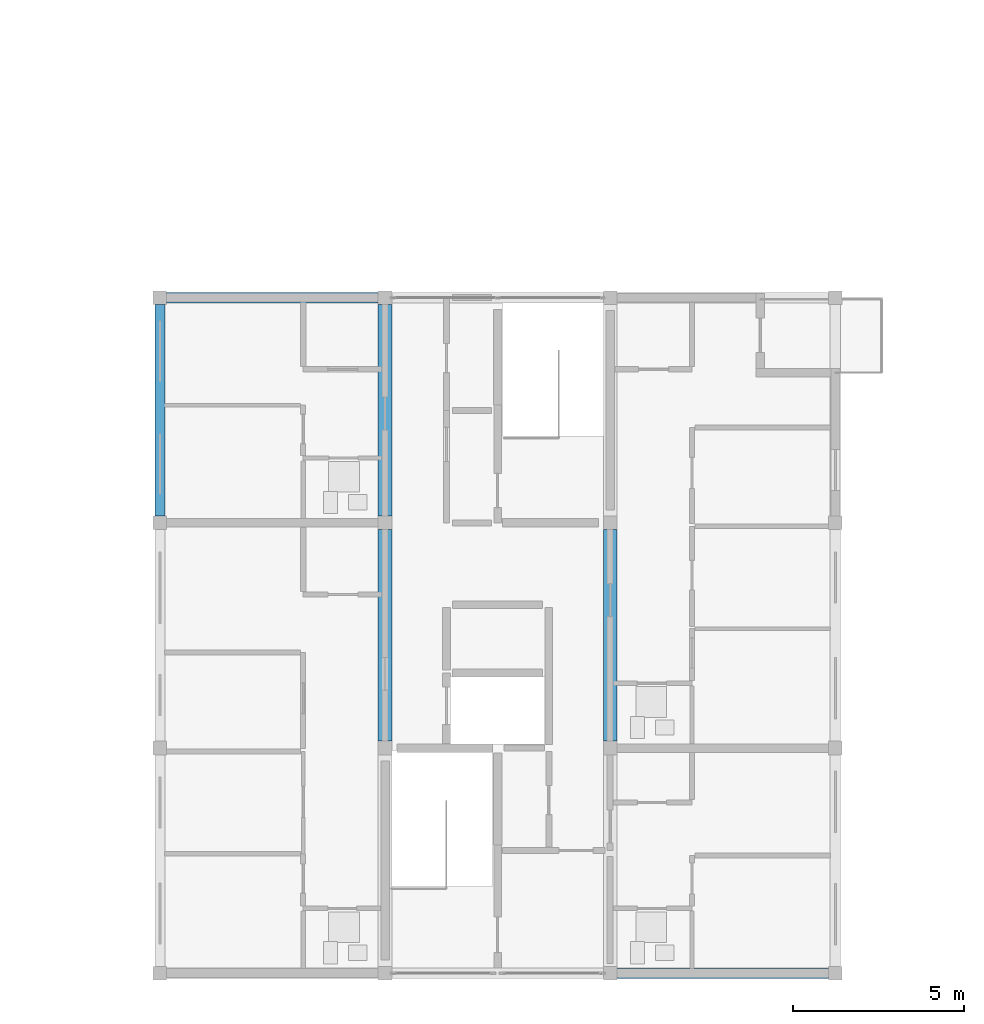
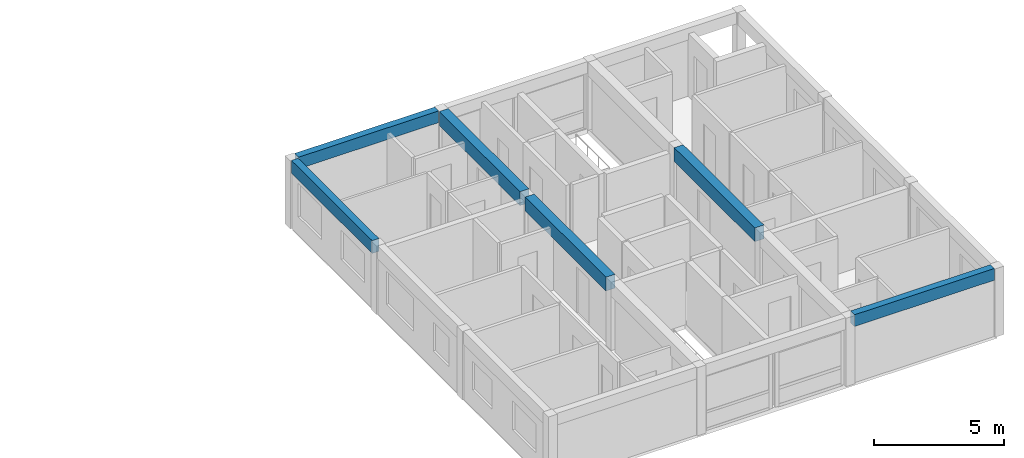
# One storey, part 6 of 34: 6 beams.
"""IFC4 building model written with IfcOpenShell, lengths in metres."""

import ifcopenshell
import ifcopenshell.guid

model = None  # the IFC model being written
_history = None  # IfcOwnerHistory: only IFC2X3 demands one
_inside = {}  # id of a spatial element -> (the spatial element, [elements in it])
_under = {}  # id of a project, library or spatial element -> (it, [spatial elements below it])
_declared = {}  # id of a project -> (the project, [libraries it declares])
_typed = {}  # id of a type object -> (the type object, [elements of that type])
_made_of = {}  # id of a material, layer set ... -> (it, [elements and type objects made of it])


def new_model(schema):
    """Start an empty IFC model of exactly this schema.

    Asked for "IFC4X3", IfcOpenShell would pick the latest addendum, in which some entities
    have other attributes; the version numbers below select the first issue.
    IFC2X3 requires an IfcOwnerHistory on every rooted entity: one is made here for all.
    """
    global model, _history
    if schema == "IFC4X3":
        model = ifcopenshell.file(schema_version=(4, 3, 0, 0))
    else:
        model = ifcopenshell.file(schema=schema)
    _inside.clear()
    _under.clear()
    _declared.clear()
    _typed.clear()
    _made_of.clear()
    _history = None
    if model.schema == "IFC2X3":
        org = make("IfcOrganization", Name="unknown")
        user = make(
            "IfcPersonAndOrganization",
            ThePerson=make("IfcPerson", FamilyName="unknown"),
            TheOrganization=org,
        )
        app = make(
            "IfcApplication",
            ApplicationDeveloper=org,
            Version="unknown",
            ApplicationFullName="unknown",
            ApplicationIdentifier="unknown",
        )
        _history = make(
            "IfcOwnerHistory",
            OwningUser=user,
            OwningApplication=app,
            ChangeAction="ADDED",
            CreationDate=0,
        )
    return model


def make(cls, **values):
    """One entity of the class cls with the attributes given. An attribute that is None is left unset."""
    return model.create_entity(
        cls, **{name: value for name, value in values.items() if value is not None}
    )


def rooted(cls, **values):
    """An entity with a GlobalId (a new one), such as an element, a storey or a relation."""
    return make(cls, GlobalId=ifcopenshell.guid.new(), OwnerHistory=_history, **values)


def si_unit(unit_type, name, prefix=None):
    """IfcSIUnit, for example si_unit("LENGTHUNIT", "METRE", prefix="MILLI")."""
    return make("IfcSIUnit", UnitType=unit_type, Prefix=prefix, Name=name)


def assignment(units):
    """IfcUnitAssignment: the units of a project."""
    return None if units is None else make("IfcUnitAssignment", Units=units)


def point(xyz):
    """IfcCartesianPoint."""
    return None if xyz is None else make("IfcCartesianPoint", Coordinates=xyz)


def direction(xyz):
    """IfcDirection."""
    return None if xyz is None else make("IfcDirection", DirectionRatios=xyz)


def frame(location, z_axis=None, x_axis=None):
    """IfcAxis2Placement3D, a coordinate frame: its origin and axes. An axis left out is left unset."""
    return make(
        "IfcAxis2Placement3D",
        Location=point(location),
        Axis=direction(z_axis),
        RefDirection=direction(x_axis),
    )


def frame_2d(location, x_axis=None):
    """IfcAxis2Placement2D, a coordinate frame in the plane: its origin and x axis."""
    return make(
        "IfcAxis2Placement2D", Location=point(location), RefDirection=direction(x_axis)
    )


def origin():
    """The frame at (0, 0, 0) with its axes left unset."""
    return frame((0.0, 0.0, 0.0))


def origin_2d():
    """The frame at (0, 0) in the plane with its x axis left unset."""
    return frame_2d((0.0, 0.0))


def place(relative_to, where):
    """IfcLocalPlacement: puts the frame where relative to a parent placement (None: the world)."""
    return make(
        "IfcLocalPlacement", PlacementRelTo=relative_to, RelativePlacement=where
    )


def context(
    kind, dimensions, precision=None, world=None, true_north=None, identifier=None
):
    """IfcGeometricRepresentationContext, for example the 3D "Model" context."""
    return make(
        "IfcGeometricRepresentationContext",
        ContextIdentifier=identifier,
        ContextType=kind,
        CoordinateSpaceDimension=dimensions,
        Precision=precision,
        WorldCoordinateSystem=world,
        TrueNorth=true_north,
    )


def subcontext(parent, identifier, kind, view, scale=None):
    """IfcGeometricRepresentationSubContext, for example "Body" below "Model"."""
    return make(
        "IfcGeometricRepresentationSubContext",
        ContextIdentifier=identifier,
        ContextType=kind,
        ParentContext=parent,
        TargetScale=scale,
        TargetView=view,
    )


def project(units=None, contexts=None):
    """IfcProject with its units and contexts."""
    return rooted(
        "IfcProject",
        Name="project",
        RepresentationContexts=contexts,
        UnitsInContext=assignment(units),
    )


def spatial(cls, under=None, at=None, **own):
    """A site, building, storey or space (cls), placed at a placement, below another one or the project."""
    s = rooted(cls, ObjectPlacement=at, **own)
    if under is not None:
        _under.setdefault(under.id(), (under, []))[1].append(s)
    return s


def profile(cls, at=None, kind="AREA", **sizes):
    """A parametric profile (cls). Its sizes go by their IFC names, for example OverallWidth=200.0."""
    return make(cls, ProfileType=kind, Position=at, **sizes)


def rectangle(**sizes):
    """IfcRectangleProfileDef."""
    return profile("IfcRectangleProfileDef", **sizes)


def extrude(swept, where, along, depth):
    """IfcExtrudedAreaSolid: the profile swept, set in the frame where, extruded along a direction by depth."""
    return make(
        "IfcExtrudedAreaSolid",
        SweptArea=swept,
        Position=where,
        ExtrudedDirection=direction(along),
        Depth=depth,
    )


def shape(context_of_items, identifier, shape_type, items):
    """IfcShapeRepresentation: the items that make up one representation, for example the "Body"."""
    return make(
        "IfcShapeRepresentation",
        ContextOfItems=context_of_items,
        RepresentationIdentifier=identifier,
        RepresentationType=shape_type,
        Items=items,
    )


def material(Name=None, Category=None):
    """IfcMaterial."""
    return make("IfcMaterial", Name=Name, Category=Category)


def material_profile(
    of_material, cross_section, Name=None, Category=None, Priority=None
):
    """IfcMaterialProfile: a cross section and its material."""
    return make(
        "IfcMaterialProfile",
        Name=Name,
        Material=of_material,
        Profile=cross_section,
        Priority=Priority,
        Category=Category,
    )


def profile_set(profiles, Name=None, composite=None):
    """IfcMaterialProfileSet."""
    return make(
        "IfcMaterialProfileSet",
        Name=Name,
        MaterialProfiles=profiles,
        CompositeProfile=composite,
    )


def made_of(thing, what):
    """Note that an element or type object is made of a material, layer set ...; save() writes the relation."""
    if what is not None:
        _made_of.setdefault(what.id(), (what, []))[1].append(thing)
    return thing


def type_object(cls, material=None, **own):
    """A type object (cls), such as IfcWallType, which elements share."""
    return made_of(rooted(cls, **own), material)


def element(
    cls,
    number,
    at=None,
    inside=None,
    cuts=None,
    type_object=None,
    material=None,
    context=None,
    identifier="Body",
    shape_type=None,
    held_by="IfcProductDefinitionShape",
    body=None,
    shapes=None,
    **own,
):
    """One element of the class cls, such as IfcWall. Its Tag is "e" and its number.

    at: its placement. inside: the storey or other place that contains it. cuts: it is an
    opening in that element (IfcRelVoidsElement). A single representation is given by context,
    identifier, shape_type and body (its items); several are given by shapes. held_by: the class
    of the entity that holds the representations. save() writes the other relations.
    """
    e = rooted(cls, Tag="e%d" % number, ObjectPlacement=at, **own)
    if body is not None:
        shapes = [shape(context, identifier, shape_type, body)]
    if shapes is not None:
        e.Representation = make(held_by, Representations=shapes)
    if inside is not None:
        _inside.setdefault(inside.id(), (inside, []))[1].append(e)
    if cuts is not None:
        rooted(
            "IfcRelVoidsElement", RelatingBuildingElement=cuts, RelatedOpeningElement=e
        )
    if type_object is not None:
        _typed.setdefault(type_object.id(), (type_object, []))[1].append(e)
    return made_of(e, material)


def aggregate(whole, parts):
    """IfcRelAggregates: a whole, such as a stair, and the parts it consists of."""
    return rooted("IfcRelAggregates", RelatingObject=whole, RelatedObjects=parts)


def save(model, path):
    """Write the relations noted so far, then the file.

    IfcRelAggregates (storeys below a building ...), IfcRelContainedInSpatialStructure (elements
    in a storey), IfcRelDefinesByType, IfcRelAssociatesMaterial and IfcRelDeclares: one each for
    every whole, place, type object, material and project.
    """
    for whole, parts in _under.values():
        aggregate(whole, parts)
    for where, things in _inside.values():
        rooted(
            "IfcRelContainedInSpatialStructure",
            RelatedElements=things,
            RelatingStructure=where,
        )
    for kind, things in _typed.values():
        rooted("IfcRelDefinesByType", RelatedObjects=things, RelatingType=kind)
    for what, things in _made_of.values():
        rooted("IfcRelAssociatesMaterial", RelatedObjects=things, RelatingMaterial=what)
    for by, libraries in _declared.values():
        rooted("IfcRelDeclares", RelatingContext=by, RelatedDefinitions=libraries)
    model.write(path)


model = new_model("IFC4")

# Units and contexts
model_context = context("Model", 3, precision=1e-05, world=origin(), true_north=direction((0.0, 1.0)))
body_context = subcontext(model_context, "Body", "Model", "MODEL_VIEW")
ifc_project = project(units=[si_unit("LENGTHUNIT", "METRE"), si_unit("AREAUNIT", "SQUARE_METRE"), si_unit("VOLUMEUNIT", "CUBIC_METRE"), si_unit("PLANEANGLEUNIT", "RADIAN"), si_unit("MASSUNIT", "GRAM", prefix="KILO")], contexts=[model_context])

# Site, building, storey
site_placement = place(None, origin())
site = spatial("IfcSite", under=ifc_project, at=site_placement, CompositionType="ELEMENT")
building_placement = place(site_placement, origin())
building = spatial("IfcBuilding", under=site, at=building_placement, Name="Kernevlak Ridge Housing Community", CompositionType="ELEMENT")
storey_placement = place(building_placement, frame((0.0, 0.0, 40.39990234375)))
storey = spatial("IfcBuildingStorey", under=building, at=storey_placement, Name="L12", CompositionType="ELEMENT", Elevation=40.39990234375)

# Beams
ifc_material = material(Name="Concrete C35/45", Category="concrete")
ifc_material_profile_1 = material_profile(ifc_material, rectangle(XDim=0.39990234375, YDim=0.64990234375, at=origin_2d()), Name="RC 400x650")
ifc_profile_set_1 = profile_set([ifc_material_profile_1], Name="Concrete C35/45")
beam_type_1 = type_object("IfcBeamType", Name="B-03", PredefinedType="T_BEAM", material=ifc_profile_set_1)
beam_1_placement = place(storey_placement, frame((132.60009765625, 22.39990234375, 2.875), z_axis=(0.0, 1.0, 0.0), x_axis=(-1.0, 0.0, 0.0)))
element("IfcBeam", 1, at=beam_1_placement, inside=storey, type_object=beam_type_1, Name="Beam B-03 L12 1265", PredefinedType="T_BEAM", context=body_context, shape_type="SweptSolid", body=[
    extrude(rectangle(XDim=0.39990234375, YDim=0.64990234375, at=origin_2d()), origin(), (0.0, 0.0, 1.0), 6.2001953125),
])
beam_2_placement = place(storey_placement, frame((132.60009765625, 29.0, 2.875), z_axis=(0.0, 1.0, 0.0), x_axis=(-1.0, 0.0, 0.0)))
element("IfcBeam", 2, at=beam_2_placement, inside=storey, type_object=beam_type_1, Name="Beam B-03 L12 1266", PredefinedType="T_BEAM", context=body_context, shape_type="SweptSolid", body=[
    extrude(rectangle(XDim=0.39990234375, YDim=0.64990234375, at=origin_2d()), origin(), (0.0, 0.0, 1.0), 6.199951171875),
])
beam_3_placement = place(storey_placement, frame((139.199951171875, 22.39990234375, 2.875), z_axis=(0.0, 1.0, 0.0), x_axis=(-1.0, 0.0, 0.0)))
element("IfcBeam", 3, at=beam_3_placement, inside=storey, type_object=beam_type_1, Name="Beam B-03 L12 1268", PredefinedType="T_BEAM", context=body_context, shape_type="SweptSolid", body=[
    extrude(rectangle(XDim=0.39990234375, YDim=0.64990234375, at=origin_2d()), origin(), (0.0, 0.0, 1.0), 6.2001953125),
])
ifc_material_profile_2 = material_profile(ifc_material, rectangle(XDim=0.300048828125, YDim=0.550048828125, at=origin_2d()), Name="RC 300x550")
ifc_profile_set_2 = profile_set([ifc_material_profile_2], Name="Concrete C35/45")
beam_type_2 = type_object("IfcBeamType", Name="SP-01", PredefinedType="SPANDREL", material=ifc_profile_set_2)
beam_4_placement = place(storey_placement, frame((139.39990234375, 15.60009765625, 2.925048828125), z_axis=(1.0, 0.0, 0.0), x_axis=(0.0, 1.0, 0.0)))
element("IfcBeam", 4, at=beam_4_placement, inside=storey, type_object=beam_type_2, Name="Beam SP-01 L12 1275", PredefinedType="SPANDREL", context=body_context, shape_type="SweptSolid", body=[
    extrude(rectangle(XDim=0.300048828125, YDim=0.550048828125, at=origin_2d()), origin(), (0.0, 0.0, 1.0), 6.2001953125),
])
beam_5_placement = place(storey_placement, frame((126.199951171875, 35.39990234375, 2.925048828125), z_axis=(1.0, 0.0, 0.0), x_axis=(0.0, 1.0, 0.0)))
element("IfcBeam", 5, at=beam_5_placement, inside=storey, type_object=beam_type_2, Name="Beam SP-01 L12 1276", PredefinedType="SPANDREL", context=body_context, shape_type="SweptSolid", body=[
    extrude(rectangle(XDim=0.300048828125, YDim=0.550048828125, at=origin_2d()), origin(), (0.0, 0.0, 1.0), 6.199951171875),
])
ifc_material_profile_3 = material_profile(ifc_material, rectangle(XDim=0.300048828125, YDim=0.60009765625, at=origin_2d()), Name="RC 300x600")
ifc_profile_set_3 = profile_set([ifc_material_profile_3], Name="Concrete C35/45")
beam_type_3 = type_object("IfcBeamType", Name="SP-02", PredefinedType="SPANDREL", material=ifc_profile_set_3)
beam_6_placement = place(storey_placement, frame((126.0, 29.0, 2.900146484375), z_axis=(0.0, 1.0, 0.0), x_axis=(-1.0, 0.0, 0.0)))
element("IfcBeam", 6, at=beam_6_placement, inside=storey, type_object=beam_type_3, Name="Beam SP-02 L12 1263", PredefinedType="SPANDREL", context=body_context, shape_type="SweptSolid", body=[
    extrude(rectangle(XDim=0.300048828125, YDim=0.60009765625, at=origin_2d()), origin(), (0.0, 0.0, 1.0), 6.199951171875),
])

save(model, "model.ifc")
